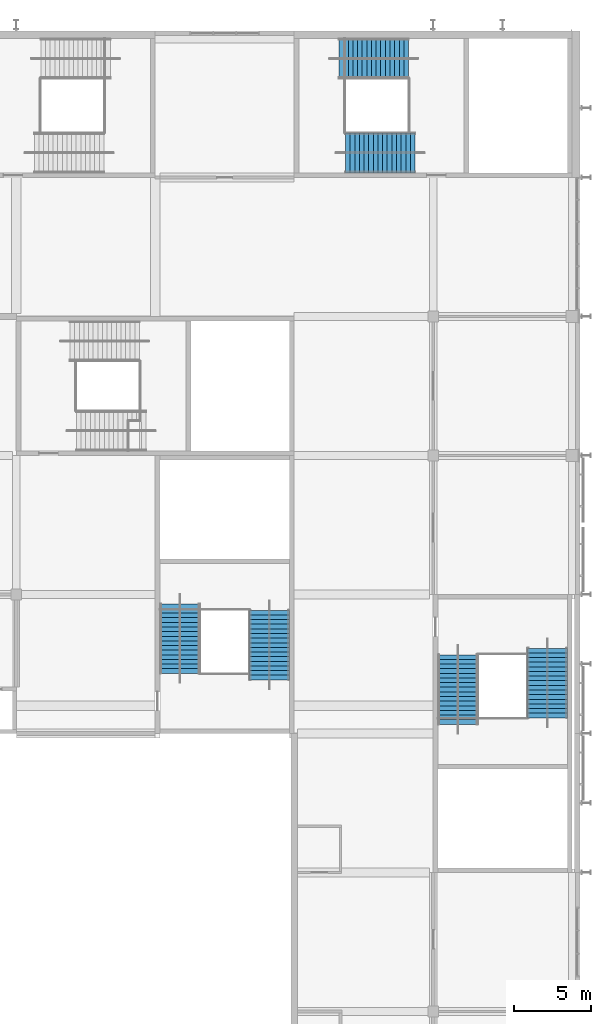
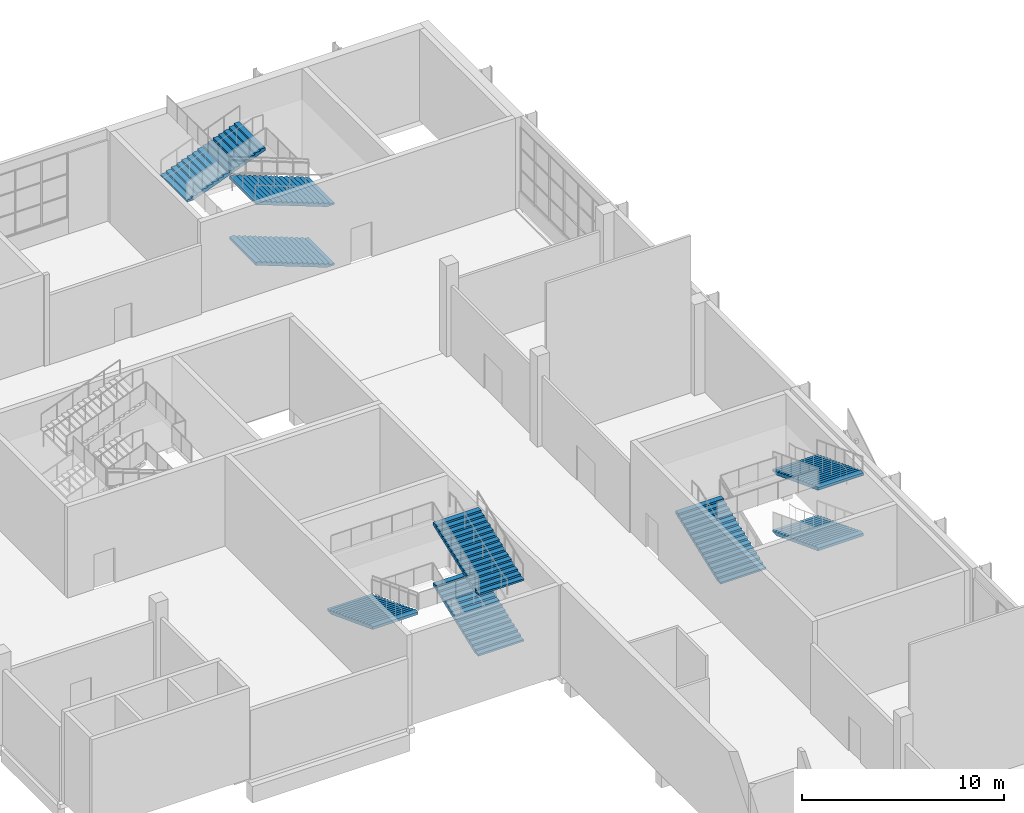
# One storey, part 47 of 84: 9 stair flights, 3 elements without a shape of their own.
"""IFC4 building model written with IfcOpenShell, lengths in metres."""

from ifc_helpers import new_model, si_unit, direction, frame, origin, place, context, subcontext, project, spatial, polyline, outline, extrude, material, type_object, element, aggregate, save


model = new_model("IFC4")

# Units and contexts
model_context = context("Model", 3, precision=1e-05, world=origin(), true_north=direction((0.0, 1.0)))
body_context = subcontext(model_context, "Body", "Model", "MODEL_VIEW")
ifc_project = project(units=[si_unit("LENGTHUNIT", "METRE"), si_unit("AREAUNIT", "SQUARE_METRE"), si_unit("VOLUMEUNIT", "CUBIC_METRE"), si_unit("PLANEANGLEUNIT", "RADIAN"), si_unit("MASSUNIT", "GRAM", prefix="KILO")], contexts=[model_context])

# Site, building, storey
site_placement = place(None, origin())
site = spatial("IfcSite", under=ifc_project, at=site_placement, CompositionType="ELEMENT")
building_placement = place(site_placement, origin())
building = spatial("IfcBuilding", under=site, at=building_placement, Name="Silverbay Arena", CompositionType="ELEMENT")
storey_placement = place(building_placement, frame((0.0, 0.0, 28.0)))
storey = spatial("IfcBuildingStorey", under=building, at=storey_placement, Name="L04", CompositionType="ELEMENT", Elevation=28.0)

# Stair, stair flights
ifc_material_1 = material(Name="Concrete Grade C45", Category="concrete")
stair_type = type_object("IfcStairType", Name="Stair 2600 wide 48 risers 114.6 x 300", PredefinedType="HALF_TURN_STAIR", material=ifc_material_1)
stair_1_placement = place(storey_placement, origin())
stair_1 = element("IfcStair", 1, at=stair_1_placement, inside=storey, type_object=stair_type, Name="Stair ST-N6 L04 to L05", PredefinedType="HALF_TURN_STAIR")
ifc_material_2 = material(Name="Concrete Grade C45", Category="concrete")
stair_flight_type = type_object("IfcStairFlightType", Name="Stair flight 2600 wide 16 risers 114.6 x 300", PredefinedType="STRAIGHT", material=ifc_material_2)
stair_flight_1_placement = place(storey_placement, frame((196.8203125, 136.60009765625, 0.0), z_axis=(0.0, 0.0, 1.0), x_axis=(-1.0, 0.0, 0.0)))
stair_flight_1 = element("IfcStairFlight", 2, at=stair_flight_1_placement, type_object=stair_flight_type, Name="Stair ST-N6 L04 to L05 flight 1", NumberOfRisers=16, NumberOfTreads=15, PredefinedType="STRAIGHT", RiserHeight=0.114583333, TreadLength=0.3, context=body_context, shape_type="SweptSolid", body=[
    extrude(outline(polyline([(0.0, 0.0), (0.0, 0.114501953125), (0.300048828125, 0.114501953125), (0.300048828125, 0.229248046875), (0.60009765625, 0.229248046875), (0.60009765625, 0.34375), (0.89990234375, 0.34375), (0.89990234375, 0.458251953125), (1.199951171875, 0.458251953125), (1.199951171875, 0.572998046875), (1.5, 0.572998046875), (1.5, 0.6875), (1.800048828125, 0.6875), (1.800048828125, 0.802001953125), (2.10009765625, 0.802001953125), (2.10009765625, 0.916748046875), (2.39990234375, 0.916748046875), (2.39990234375, 1.03125), (2.699951171875, 1.03125), (2.699951171875, 1.145751953125), (3.0, 1.145751953125), (3.0, 1.260498046875), (3.300048828125, 1.260498046875), (3.300048828125, 1.375), (3.60009765625, 1.375), (3.60009765625, 1.489501953125), (3.89990234375, 1.489501953125), (3.89990234375, 1.604248046875), (4.199951171875, 1.604248046875), (4.199951171875, 1.71875), (4.5, 1.71875), (4.5, 1.558349609375), (0.420166015625, 0.0), (0.0, 0.0)])), frame((0.0, 1.300048828125, 0.0), z_axis=(0.0, -1.0, 0.0), x_axis=(1.0, 0.0, 0.0)), (0.0, 0.0, 1.0), 2.60009765625),
])
stair_flight_2_placement = place(storey_placement, frame((191.89990234375, 142.699951171875, 1.833251953125), z_axis=(0.0, 0.0, 1.0), x_axis=(1.0, 0.0, 0.0)))
stair_flight_2 = element("IfcStairFlight", 3, at=stair_flight_2_placement, type_object=stair_flight_type, Name="Stair ST-N6 L04 to L05 flight 2", NumberOfRisers=16, NumberOfTreads=15, PredefinedType="STRAIGHT", RiserHeight=0.114583333, TreadLength=0.3, context=body_context, shape_type="SweptSolid", body=[
    extrude(outline(polyline([(0.0, 0.0), (0.0, 0.114501953125), (0.300048828125, 0.114501953125), (0.300048828125, 0.229248046875), (0.60009765625, 0.229248046875), (0.60009765625, 0.34375), (0.89990234375, 0.34375), (0.89990234375, 0.458251953125), (1.199951171875, 0.458251953125), (1.199951171875, 0.572998046875), (1.5, 0.572998046875), (1.5, 0.6875), (1.800048828125, 0.6875), (1.800048828125, 0.802001953125), (2.10009765625, 0.802001953125), (2.10009765625, 0.916748046875), (2.39990234375, 0.916748046875), (2.39990234375, 1.03125), (2.699951171875, 1.03125), (2.699951171875, 1.145751953125), (3.0, 1.145751953125), (3.0, 1.260498046875), (3.300048828125, 1.260498046875), (3.300048828125, 1.375), (3.60009765625, 1.375), (3.60009765625, 1.489501953125), (3.89990234375, 1.489501953125), (3.89990234375, 1.604248046875), (4.199951171875, 1.604248046875), (4.199951171875, 1.71875), (4.5, 1.71875), (4.5, 1.558349609375), (0.420166015625, 0.0), (0.0, 0.0)])), frame((0.0, 1.300048828125, 0.0), z_axis=(0.0, -1.0, 0.0), x_axis=(1.0, 0.0, 0.0)), (0.0, 0.0, 1.0), 2.60009765625),
])
stair_flight_3_placement = place(storey_placement, frame((196.8203125, 136.60009765625, 3.666748046875), z_axis=(0.0, 0.0, 1.0), x_axis=(-1.0, 0.0, 0.0)))
stair_flight_3 = element("IfcStairFlight", 4, at=stair_flight_3_placement, type_object=stair_flight_type, Name="Stair ST-N6 L04 to L05 flight 3", NumberOfRisers=16, NumberOfTreads=15, PredefinedType="STRAIGHT", RiserHeight=0.114583333, TreadLength=0.3, context=body_context, shape_type="SweptSolid", body=[
    extrude(outline(polyline([(0.0, 0.0), (0.0, 0.114501953125), (0.300048828125, 0.114501953125), (0.300048828125, 0.229248046875), (0.60009765625, 0.229248046875), (0.60009765625, 0.34375), (0.89990234375, 0.34375), (0.89990234375, 0.458251953125), (1.199951171875, 0.458251953125), (1.199951171875, 0.572998046875), (1.5, 0.572998046875), (1.5, 0.6875), (1.800048828125, 0.6875), (1.800048828125, 0.802001953125), (2.10009765625, 0.802001953125), (2.10009765625, 0.916748046875), (2.39990234375, 0.916748046875), (2.39990234375, 1.03125), (2.699951171875, 1.03125), (2.699951171875, 1.145751953125), (3.0, 1.145751953125), (3.0, 1.260498046875), (3.300048828125, 1.260498046875), (3.300048828125, 1.375), (3.60009765625, 1.375), (3.60009765625, 1.489501953125), (3.89990234375, 1.489501953125), (3.89990234375, 1.604248046875), (4.199951171875, 1.604248046875), (4.199951171875, 1.71875), (4.5, 1.71875), (4.5, 1.558349609375), (0.420166015625, 0.0), (0.0, 0.0)])), frame((0.0, 1.300048828125, 0.0), z_axis=(0.0, -1.0, 0.0), x_axis=(1.0, 0.0, 0.0)), (0.0, 0.0, 1.0), 2.60009765625),
])
aggregate(stair_1, [stair_flight_1, stair_flight_2, stair_flight_3])

stair_2_placement = place(storey_placement, origin())
stair_2 = element("IfcStair", 5, at=stair_2_placement, inside=storey, type_object=stair_type, Name="Stair ST-E2 L04 to L05", PredefinedType="HALF_TURN_STAIR")
stair_flight_4_placement = place(storey_placement, frame((205.39990234375, 104.5205078125, 0.0), z_axis=(0.0, 0.0, 1.0), x_axis=(0.0, -1.0, 0.0)))
stair_flight_4 = element("IfcStairFlight", 6, at=stair_flight_4_placement, type_object=stair_flight_type, Name="Stair ST-E2 L04 to L05 flight 1", NumberOfRisers=16, NumberOfTreads=15, PredefinedType="STRAIGHT", RiserHeight=0.114583333, TreadLength=0.3, context=body_context, shape_type="SweptSolid", body=[
    extrude(outline(polyline([(0.0, 0.0), (0.0, 0.114501953125), (0.300048828125, 0.114501953125), (0.300048828125, 0.229248046875), (0.60009765625, 0.229248046875), (0.60009765625, 0.34375), (0.89990234375, 0.34375), (0.89990234375, 0.458251953125), (1.199951171875, 0.458251953125), (1.199951171875, 0.572998046875), (1.5, 0.572998046875), (1.5, 0.6875), (1.800048828125, 0.6875), (1.800048828125, 0.802001953125), (2.10009765625, 0.802001953125), (2.10009765625, 0.916748046875), (2.39990234375, 0.916748046875), (2.39990234375, 1.03125), (2.699951171875, 1.03125), (2.699951171875, 1.145751953125), (3.0, 1.145751953125), (3.0, 1.260498046875), (3.300048828125, 1.260498046875), (3.300048828125, 1.375), (3.60009765625, 1.375), (3.60009765625, 1.489501953125), (3.89990234375, 1.489501953125), (3.89990234375, 1.604248046875), (4.199951171875, 1.604248046875), (4.199951171875, 1.71875), (4.5, 1.71875), (4.5, 1.558349609375), (0.420166015625, 0.0), (0.0, 0.0)])), frame((0.0, 1.300048828125, 0.0), z_axis=(0.0, -1.0, 0.0), x_axis=(1.0, 0.0, 0.0)), (0.0, 0.0, 1.0), 2.60009765625),
])
stair_flight_5_placement = place(storey_placement, frame((199.60009765625, 99.60009765625, 1.833251953125), z_axis=(0.0, 0.0, 1.0), x_axis=(0.0, 1.0, 0.0)))
stair_flight_5 = element("IfcStairFlight", 7, at=stair_flight_5_placement, type_object=stair_flight_type, Name="Stair ST-E2 L04 to L05 flight 2", NumberOfRisers=16, NumberOfTreads=15, PredefinedType="STRAIGHT", RiserHeight=0.114583333, TreadLength=0.3, context=body_context, shape_type="SweptSolid", body=[
    extrude(outline(polyline([(0.0, 0.0), (0.0, 0.114501953125), (0.300048828125, 0.114501953125), (0.300048828125, 0.229248046875), (0.60009765625, 0.229248046875), (0.60009765625, 0.34375), (0.89990234375, 0.34375), (0.89990234375, 0.458251953125), (1.199951171875, 0.458251953125), (1.199951171875, 0.572998046875), (1.5, 0.572998046875), (1.5, 0.6875), (1.800048828125, 0.6875), (1.800048828125, 0.802001953125), (2.10009765625, 0.802001953125), (2.10009765625, 0.916748046875), (2.39990234375, 0.916748046875), (2.39990234375, 1.03125), (2.699951171875, 1.03125), (2.699951171875, 1.145751953125), (3.0, 1.145751953125), (3.0, 1.260498046875), (3.300048828125, 1.260498046875), (3.300048828125, 1.375), (3.60009765625, 1.375), (3.60009765625, 1.489501953125), (3.89990234375, 1.489501953125), (3.89990234375, 1.604248046875), (4.199951171875, 1.604248046875), (4.199951171875, 1.71875), (4.5, 1.71875), (4.5, 1.558349609375), (0.420166015625, 0.0), (0.0, 0.0)])), frame((0.0, 1.300048828125, 0.0), z_axis=(0.0, -1.0, 0.0), x_axis=(1.0, 0.0, 0.0)), (0.0, 0.0, 1.0), 2.60009765625),
])
stair_flight_6_placement = place(storey_placement, frame((205.39990234375, 104.5205078125, 3.666748046875), z_axis=(0.0, 0.0, 1.0), x_axis=(0.0, -1.0, 0.0)))
stair_flight_6 = element("IfcStairFlight", 8, at=stair_flight_6_placement, type_object=stair_flight_type, Name="Stair ST-E2 L04 to L05 flight 3", NumberOfRisers=16, NumberOfTreads=15, PredefinedType="STRAIGHT", RiserHeight=0.114583333, TreadLength=0.3, context=body_context, shape_type="SweptSolid", body=[
    extrude(outline(polyline([(0.0, 0.0), (0.0, 0.114501953125), (0.300048828125, 0.114501953125), (0.300048828125, 0.229248046875), (0.60009765625, 0.229248046875), (0.60009765625, 0.34375), (0.89990234375, 0.34375), (0.89990234375, 0.458251953125), (1.199951171875, 0.458251953125), (1.199951171875, 0.572998046875), (1.5, 0.572998046875), (1.5, 0.6875), (1.800048828125, 0.6875), (1.800048828125, 0.802001953125), (2.10009765625, 0.802001953125), (2.10009765625, 0.916748046875), (2.39990234375, 0.916748046875), (2.39990234375, 1.03125), (2.699951171875, 1.03125), (2.699951171875, 1.145751953125), (3.0, 1.145751953125), (3.0, 1.260498046875), (3.300048828125, 1.260498046875), (3.300048828125, 1.375), (3.60009765625, 1.375), (3.60009765625, 1.489501953125), (3.89990234375, 1.489501953125), (3.89990234375, 1.604248046875), (4.199951171875, 1.604248046875), (4.199951171875, 1.71875), (4.5, 1.71875), (4.5, 1.558349609375), (0.420166015625, 0.0), (0.0, 0.0)])), frame((0.0, 1.300048828125, 0.0), z_axis=(0.0, -1.0, 0.0), x_axis=(1.0, 0.0, 0.0)), (0.0, 0.0, 1.0), 2.60009765625),
])
aggregate(stair_2, [stair_flight_4, stair_flight_5, stair_flight_6])

stair_3_placement = place(storey_placement, origin())
stair_3 = element("IfcStair", 9, at=stair_3_placement, inside=storey, type_object=stair_type, Name="Stair ST-NE2 L04 to L05", PredefinedType="HALF_TURN_STAIR")
stair_flight_7_placement = place(storey_placement, frame((187.39990234375, 102.4794921875, 0.0), z_axis=(0.0, 0.0, 1.0), x_axis=(0.0, 1.0, 0.0)))
stair_flight_7 = element("IfcStairFlight", 10, at=stair_flight_7_placement, type_object=stair_flight_type, Name="Stair ST-NE2 L04 to L05 flight 1", NumberOfRisers=16, NumberOfTreads=15, PredefinedType="STRAIGHT", RiserHeight=0.114583333, TreadLength=0.3, context=body_context, shape_type="SweptSolid", body=[
    extrude(outline(polyline([(0.0, 0.0), (0.0, 0.114501953125), (0.300048828125, 0.114501953125), (0.300048828125, 0.229248046875), (0.60009765625, 0.229248046875), (0.60009765625, 0.34375), (0.89990234375, 0.34375), (0.89990234375, 0.458251953125), (1.199951171875, 0.458251953125), (1.199951171875, 0.572998046875), (1.5, 0.572998046875), (1.5, 0.6875), (1.800048828125, 0.6875), (1.800048828125, 0.802001953125), (2.10009765625, 0.802001953125), (2.10009765625, 0.916748046875), (2.39990234375, 0.916748046875), (2.39990234375, 1.03125), (2.699951171875, 1.03125), (2.699951171875, 1.145751953125), (3.0, 1.145751953125), (3.0, 1.260498046875), (3.300048828125, 1.260498046875), (3.300048828125, 1.375), (3.60009765625, 1.375), (3.60009765625, 1.489501953125), (3.89990234375, 1.489501953125), (3.89990234375, 1.604248046875), (4.199951171875, 1.604248046875), (4.199951171875, 1.71875), (4.5, 1.71875), (4.5, 1.558349609375), (0.420166015625, 0.0), (0.0, 0.0)])), frame((0.0, 1.300048828125, 0.0), z_axis=(0.0, -1.0, 0.0), x_axis=(1.0, 0.0, 0.0)), (0.0, 0.0, 1.0), 2.60009765625),
])
stair_flight_8_placement = place(storey_placement, frame((181.60009765625, 107.39990234375, 1.833251953125), z_axis=(0.0, 0.0, 1.0), x_axis=(0.0, -1.0, 0.0)))
stair_flight_8 = element("IfcStairFlight", 11, at=stair_flight_8_placement, type_object=stair_flight_type, Name="Stair ST-NE2 L04 to L05 flight 2", NumberOfRisers=16, NumberOfTreads=15, PredefinedType="STRAIGHT", RiserHeight=0.114583333, TreadLength=0.3, context=body_context, shape_type="SweptSolid", body=[
    extrude(outline(polyline([(0.0, 0.0), (0.0, 0.114501953125), (0.300048828125, 0.114501953125), (0.300048828125, 0.229248046875), (0.60009765625, 0.229248046875), (0.60009765625, 0.34375), (0.89990234375, 0.34375), (0.89990234375, 0.458251953125), (1.199951171875, 0.458251953125), (1.199951171875, 0.572998046875), (1.5, 0.572998046875), (1.5, 0.6875), (1.800048828125, 0.6875), (1.800048828125, 0.802001953125), (2.10009765625, 0.802001953125), (2.10009765625, 0.916748046875), (2.39990234375, 0.916748046875), (2.39990234375, 1.03125), (2.699951171875, 1.03125), (2.699951171875, 1.145751953125), (3.0, 1.145751953125), (3.0, 1.260498046875), (3.300048828125, 1.260498046875), (3.300048828125, 1.375), (3.60009765625, 1.375), (3.60009765625, 1.489501953125), (3.89990234375, 1.489501953125), (3.89990234375, 1.604248046875), (4.199951171875, 1.604248046875), (4.199951171875, 1.71875), (4.5, 1.71875), (4.5, 1.558349609375), (0.420166015625, 0.0), (0.0, 0.0)])), frame((0.0, 1.300048828125, 0.0), z_axis=(0.0, -1.0, 0.0), x_axis=(1.0, 0.0, 0.0)), (0.0, 0.0, 1.0), 2.60009765625),
])
stair_flight_9_placement = place(storey_placement, frame((187.39990234375, 102.4794921875, 3.666748046875), z_axis=(0.0, 0.0, 1.0), x_axis=(0.0, 1.0, 0.0)))
stair_flight_9 = element("IfcStairFlight", 12, at=stair_flight_9_placement, type_object=stair_flight_type, Name="Stair ST-NE2 L04 to L05 flight 3", NumberOfRisers=16, NumberOfTreads=15, PredefinedType="STRAIGHT", RiserHeight=0.114583333, TreadLength=0.3, context=body_context, shape_type="SweptSolid", body=[
    extrude(outline(polyline([(0.0, 0.0), (0.0, 0.114501953125), (0.300048828125, 0.114501953125), (0.300048828125, 0.229248046875), (0.60009765625, 0.229248046875), (0.60009765625, 0.34375), (0.89990234375, 0.34375), (0.89990234375, 0.458251953125), (1.199951171875, 0.458251953125), (1.199951171875, 0.572998046875), (1.5, 0.572998046875), (1.5, 0.6875), (1.800048828125, 0.6875), (1.800048828125, 0.802001953125), (2.10009765625, 0.802001953125), (2.10009765625, 0.916748046875), (2.39990234375, 0.916748046875), (2.39990234375, 1.03125), (2.699951171875, 1.03125), (2.699951171875, 1.145751953125), (3.0, 1.145751953125), (3.0, 1.260498046875), (3.300048828125, 1.260498046875), (3.300048828125, 1.375), (3.60009765625, 1.375), (3.60009765625, 1.489501953125), (3.89990234375, 1.489501953125), (3.89990234375, 1.604248046875), (4.199951171875, 1.604248046875), (4.199951171875, 1.71875), (4.5, 1.71875), (4.5, 1.558349609375), (0.420166015625, 0.0), (0.0, 0.0)])), frame((0.0, 1.300048828125, 0.0), z_axis=(0.0, -1.0, 0.0), x_axis=(1.0, 0.0, 0.0)), (0.0, 0.0, 1.0), 2.60009765625),
])
aggregate(stair_3, [stair_flight_7, stair_flight_8, stair_flight_9])

save(model, "model.ifc")
